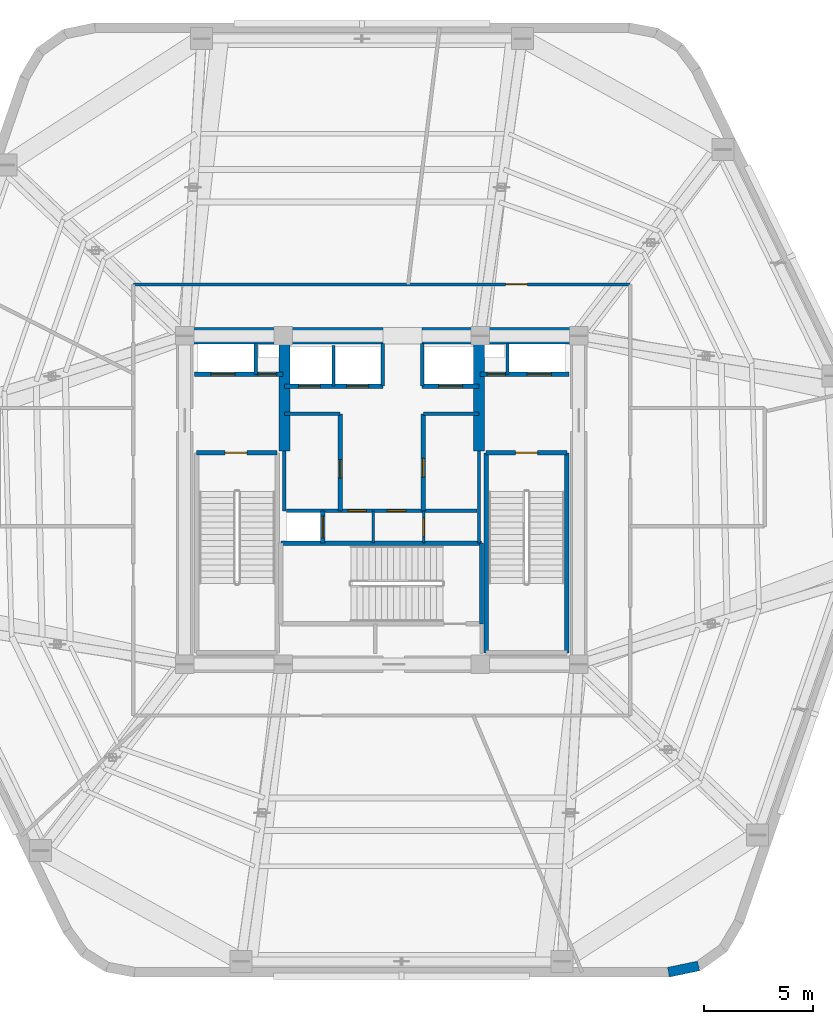
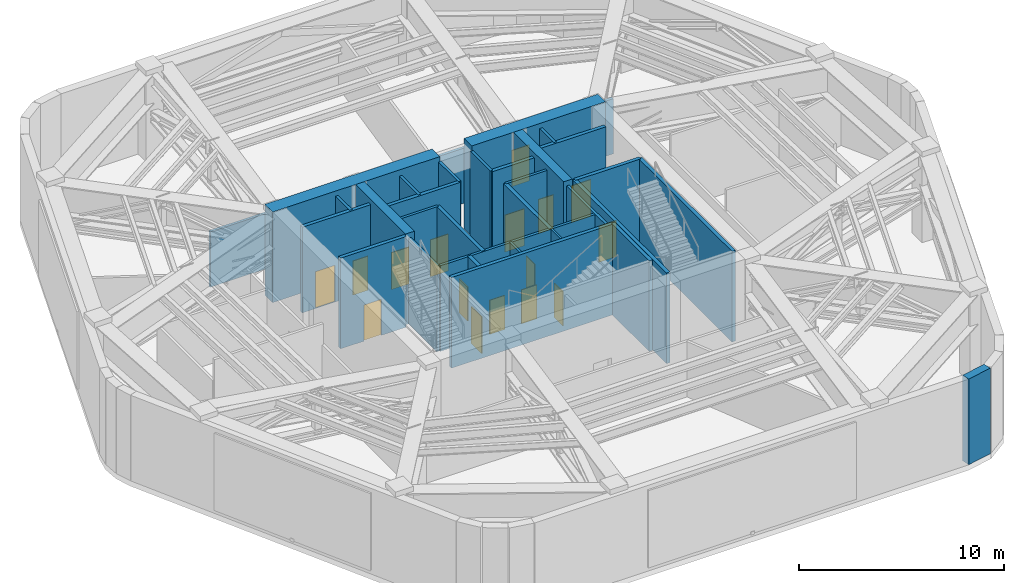
# One storey, part 6 of 10: 31 walls, 16 doors, 16 openings.
"""IFC4 building model written with IfcOpenShell, lengths in metres."""

from ifc_helpers import new_model, si_unit, direction, frame, frame_2d, origin, place, context, subcontext, project, spatial, rectangle, extrude, material, layer, layer_set, type_object, element, fill, save


model = new_model("IFC4")

# Units and contexts
model_context = context("Model", 3, precision=1e-05, world=origin(), true_north=direction((0.0, 1.0)))
body_context = subcontext(model_context, "Body", "Model", "MODEL_VIEW")
ifc_project = project(units=[si_unit("LENGTHUNIT", "METRE"), si_unit("AREAUNIT", "SQUARE_METRE"), si_unit("VOLUMEUNIT", "CUBIC_METRE"), si_unit("PLANEANGLEUNIT", "RADIAN"), si_unit("MASSUNIT", "GRAM", prefix="KILO")], contexts=[model_context])

# Site, building, storey
site_placement = place(None, origin())
site = spatial("IfcSite", under=ifc_project, at=site_placement, CompositionType="ELEMENT")
building_placement = place(site_placement, origin())
building = spatial("IfcBuilding", under=site, at=building_placement, Name="Kilnhurst Terrace Hotel", CompositionType="ELEMENT")
storey_placement = place(building_placement, frame((0.0, 0.0, 255.89990234375)))
storey = spatial("IfcBuildingStorey", under=building, at=storey_placement, Name="L64", CompositionType="ELEMENT", Elevation=255.89990234375)

# Wall
ifc_material_1 = material(Name="Precast concrete C40/50", Category="concrete")
ifc_layer_1 = layer(ifc_material_1, 0.449951171875, Name="Precast concrete C40/50")
ifc_layer_set_1 = layer_set([ifc_layer_1], Name="Precast concrete C40/50")
wall_type_1 = type_object("IfcWallType", Name="WL-BRK-450", PredefinedType="SOLIDWALL", material=ifc_layer_set_1)
wall_1_placement = place(storey_placement, frame((13.1015625, -21.574951171875, 0.0), z_axis=(0.0, 0.0, 1.0), x_axis=(0.978757421505, 0.205021730188, 0.0)))
element("IfcWall", 1, at=wall_1_placement, inside=storey, type_object=wall_type_1, Name="L64 Rounded Corner Brick Wall C2.1", PredefinedType="SOLIDWALL", context=body_context, shape_type="SweptSolid", body=[
    extrude(rectangle(XDim=1.40625, YDim=0.449951171875, at=frame_2d((0.703125, 0.0))), origin(), (0.0, 0.0, 1.0), 5.10009765625),
])

# Wall, opening, door
ifc_material_2 = material(Name="Acoustic Double-Gypsum Corridor Partition Assembly")
ifc_layer_2 = layer(ifc_material_2, 0.14990234375, Name="Acoustic Double-Gypsum Corridor Partition Assembly")
ifc_layer_set_2 = layer_set([ifc_layer_2], Name="Acoustic Double-Gypsum Corridor Partition Assembly")
wall_type_2 = type_object("IfcWallType", Name="WL-COR-150", PredefinedType="PARTITIONING", material=ifc_layer_set_2)
wall_2_placement = place(storey_placement, frame((-11.35009765625, 9.85009765625, 0.0), z_axis=(0.0, 0.0, 1.0), x_axis=(1.0, 0.0, 0.0)))
wall_2 = element("IfcWall", 2, at=wall_2_placement, inside=storey, type_object=wall_type_2, Name="L64 Interior Wall WL-L64-COR-02", PredefinedType="PARTITIONING", context=body_context, shape_type="SweptSolid", body=[
    extrude(rectangle(XDim=22.7001953125, YDim=0.14990234375, at=frame_2d((11.35009765625, 0.0))), origin(), (0.0, 0.0, 1.0), 3.2900390625),
])
opening_1_placement = place(wall_2_placement, frame((17.010009765625, 0.0, 0.0)))
opening_1 = element("IfcOpeningElement", 3, at=opening_1_placement, cuts=wall_2, Name="Opening D-90B", PredefinedType="OPENING", context=body_context, shape_type="SweptSolid", body=[
    extrude(rectangle(XDim=1.0, YDim=2.14990234375, at=frame_2d((0.5, 1.074951171875))), frame((0.0, 0.0849609375, 0.0), z_axis=(0.0, -1.0, 0.0), x_axis=(1.0, 0.0, 0.0)), (0.0, 0.0, 1.0), 0.169921875),
])
ifc_material_3 = material(Name="Painted Hollow Metal Steel ASTM A36 Fire Door", Category="steel")
door_type_1 = type_object("IfcDoorType", Name="DR-FD90-1000", OperationType="NOTDEFINED", PredefinedType="DOOR", material=ifc_material_3)
door_1_placement = place(opening_1_placement, origin())
door_1 = element("IfcDoor", 4, at=door_1_placement, inside=storey, type_object=door_type_1, Name="L64 Chiller and Cooling Heat Exchanger Plant Room Door", OperationType="SINGLE_SWING_LEFT", OverallHeight=2.14990234375, OverallWidth=1.0, PredefinedType="DOOR", context=body_context, shape_type="SweptSolid", body=[
    extrude(rectangle(XDim=1.0, YDim=2.14990234375, at=frame_2d((0.5, 1.074951171875))), frame((0.0, 0.02490234375, 0.0), z_axis=(0.0, -1.0, 0.0), x_axis=(1.0, 0.0, 0.0)), (0.0, 0.0, 1.0), 0.050048828125),
])
fill(opening_1, door_1)

# Walls
ifc_material_4 = material(Name="Concrete C60/75", Category="concrete")
ifc_layer_3 = layer(ifc_material_4, 0.75, Name="Concrete C60/75")
ifc_layer_set_3 = layer_set([ifc_layer_3], Name="Concrete C60/75")
wall_type_3 = type_object("IfcWallType", Name="WL-CORE-750", PredefinedType="SHEAR", material=ifc_layer_set_3)
wall_3_placement = place(storey_placement, frame((-9.375, 7.5, 0.0), z_axis=(0.0, 0.0, 1.0), x_axis=(1.0, 0.0, 0.0)))
element("IfcWall", 5, at=wall_3_placement, inside=storey, type_object=wall_type_3, Name="L64 Core North West Shear Wall", PredefinedType="SHEAR", context=body_context, shape_type="SweptSolid", body=[
    extrude(rectangle(XDim=9.425048828125, YDim=0.75, at=frame_2d((4.71240234375, 0.0))), origin(), (0.0, 0.0, 1.0), 5.400146484375),
])
wall_4_placement = place(storey_placement, frame((1.85009765625, 7.5, 0.0), z_axis=(0.0, 0.0, 1.0), x_axis=(1.0, 0.0, 0.0)))
element("IfcWall", 6, at=wall_4_placement, inside=storey, type_object=wall_type_3, Name="L64 Core North East Shear Wall", PredefinedType="SHEAR", context=body_context, shape_type="SweptSolid", body=[
    extrude(rectangle(XDim=7.52490234375, YDim=0.75, at=frame_2d((3.762451171875, 0.0))), origin(), (0.0, 0.0, 1.0), 5.400146484375),
])
ifc_layer_4 = layer(ifc_material_4, 0.5, Name="Concrete C60/75")
ifc_layer_set_4 = layer_set([ifc_layer_4], Name="Concrete C60/75")
wall_type_4 = type_object("IfcWallType", Name="WL-CORE-WEB-500", PredefinedType="SHEAR", material=ifc_layer_set_4)
for number, where, z_axis, x_axis, name in (
    (7, (-4.449951171875, 2.25, 0.0), (0.0, 0.0, 1.0), (0.0, 1.0, 0.0), "L64 Core Internal West Shear Web"),
    (8, (4.449951171875, 2.25, 0.0), (0.0, 0.0, 1.0), (0.0, 1.0, 0.0), "L64 Core Internal East Shear Web"),
):
    element("IfcWall", number, at=place(storey_placement, frame(where, z_axis=z_axis, x_axis=x_axis)), inside=storey, type_object=wall_type_4, Name=name, PredefinedType="SHEAR", context=body_context, shape_type="SweptSolid", body=[
        extrude(rectangle(XDim=4.875, YDim=0.5, at=frame_2d((2.4375, 0.0))), origin(), (0.0, 0.0, 1.0), 5.400146484375),
    ])
ifc_material_5 = material(Name="120 mm Moisture-Resistant Tile-Backed Bathroom Partition")
ifc_layer_5 = layer(ifc_material_5, 0.1201171875, Name="120 mm Moisture-Resistant Tile-Backed Bathroom Partition")
ifc_layer_set_5 = layer_set([ifc_layer_5], Name="120 mm Moisture-Resistant Tile-Backed Bathroom Partition")
wall_type_5 = type_object("IfcWallType", Name="WL-PART-120", PredefinedType="PARTITIONING", material=ifc_layer_set_5)
wall_5_placement = place(storey_placement, frame((-0.3798828125, -1.971923828125, 0.0), z_axis=(0.0, 0.0, 1.0), x_axis=(0.0, 1.0, 0.0)))
element("IfcWall", 9, at=wall_5_placement, inside=storey, type_object=wall_type_5, Name="L64 Interior Wall WL-L64-BOH-C1", PredefinedType="PARTITIONING", context=body_context, shape_type="SweptSolid", body=[
    extrude(rectangle(XDim=1.471923828125, YDim=0.1201171875, at=frame_2d((0.73583984375, 0.0))), origin(), (0.0, 0.0, 1.0), 5.10009765625),
])

# Wall, opening, door
wall_6_placement = place(storey_placement, frame((1.919921875, -1.971923828125, 0.0), z_axis=(0.0, 0.0, 1.0), x_axis=(0.0, 1.0, 0.0)))
wall_6 = element("IfcWall", 10, at=wall_6_placement, inside=storey, type_object=wall_type_5, Name="L64 Interior Wall WL-L64-BOH-C2", PredefinedType="PARTITIONING", context=body_context, shape_type="SweptSolid", body=[
    extrude(rectangle(XDim=1.471923828125, YDim=0.1201171875, at=frame_2d((0.73583984375, 0.0))), origin(), (0.0, 0.0, 1.0), 5.10009765625),
])
opening_2_placement = place(wall_6_placement, frame((0.300048828125, 0.0, 0.0)))
opening_2 = element("IfcOpeningElement", 11, at=opening_2_placement, cuts=wall_6, Name="Opening D-08A", PredefinedType="OPENING", context=body_context, shape_type="SweptSolid", body=[
    extrude(rectangle(XDim=0.85009765625, YDim=2.030029296875, at=frame_2d((0.425048828125, 1.01513671875))), frame((0.0, 0.070068359375, 0.0), z_axis=(0.0, -1.0, 0.0), x_axis=(1.0, 0.0, 0.0)), (0.0, 0.0, 1.0), 0.14013671875),
])
ifc_material_6 = material(Name="Moisture-Resistant Lacquered En-suite Bathroom Door")
door_type_2 = type_object("IfcDoorType", Name="DR-INT-850", OperationType="NOTDEFINED", PredefinedType="DOOR", material=ifc_material_6)
door_2_placement = place(opening_2_placement, origin())
door_2 = element("IfcDoor", 12, at=door_2_placement, inside=storey, type_object=door_type_2, Name="L64 Staff Restroom Door", OperationType="SINGLE_SWING_RIGHT", OverallHeight=2.030029296875, OverallWidth=0.85009765625, PredefinedType="DOOR", context=body_context, shape_type="SweptSolid", body=[
    extrude(rectangle(XDim=0.85009765625, YDim=2.030029296875, at=frame_2d((0.425048828125, 1.01513671875))), frame((0.0, 0.02490234375, 0.0), z_axis=(0.0, -1.0, 0.0), x_axis=(1.0, 0.0, 0.0)), (0.0, 0.0, 1.0), 0.050048828125),
])
fill(opening_2, door_2)

# Walls
ifc_material_7 = material(Name="Fire-Rated Gypsum Shaftliner Assembly")
ifc_layer_6 = layer(ifc_material_7, 0.14990234375, Name="Fire-Rated Gypsum Shaftliner Assembly")
ifc_layer_set_6 = layer_set([ifc_layer_6], Name="Fire-Rated Gypsum Shaftliner Assembly")
wall_type_6 = type_object("IfcWallType", Name="WL-SHAFT-150", PredefinedType="PARTITIONING", material=ifc_layer_set_6)
for number, where, z_axis, x_axis, name in (
    (13, (-5.75, 5.739990234375, 0.0), (0.0, 0.0, 1.0), (0.0, 1.0, 0.0), "L64 Interior Wall WL-L64-RIS1-DIV"),
    (14, (5.75, 5.739990234375, 0.0), (0.0, 0.0, 1.0), (0.0, 1.0, 0.0), "L64 Interior Wall WL-L64-RIS2-DIV"),
):
    element("IfcWall", number, at=place(storey_placement, frame(where, z_axis=z_axis, x_axis=x_axis)), inside=storey, type_object=wall_type_6, Name=name, PredefinedType="PARTITIONING", context=body_context, shape_type="SweptSolid", body=[
        extrude(rectangle(XDim=1.409912109375, YDim=0.14990234375, at=frame_2d((0.705078125, 0.0))), origin(), (0.0, 0.0, 1.0), 5.10009765625),
    ])
wall_7_placement = place(storey_placement, frame((-2.199951171875, 5.199951171875, 0.0), z_axis=(0.0, 0.0, 1.0), x_axis=(0.0, 1.0, 0.0)))
element("IfcWall", 15, at=wall_7_placement, inside=storey, type_object=wall_type_6, Name="L64 Interior Wall WL-L64-HR-DIV1", PredefinedType="PARTITIONING", context=body_context, shape_type="SweptSolid", body=[
    extrude(rectangle(XDim=1.85009765625, YDim=0.14990234375, at=frame_2d((0.925048828125, 0.0))), origin(), (0.0, 0.0, 1.0), 5.10009765625),
])
for number, where, z_axis, x_axis, name in (
    (16, (0.050048828125, 5.199951171875, 0.0), (0.0, 0.0, 1.0), (0.0, 1.0, 0.0), "L64 Interior Wall WL-L64-HR-PORTAL-W"),
    (17, (1.85009765625, 5.199951171875, 0.0), (0.0, 0.0, 1.0), (0.0, 1.0, 0.0), "L64 Interior Wall WL-L64-HR-PORTAL-E"),
):
    element("IfcWall", number, at=place(storey_placement, frame(where, z_axis=z_axis, x_axis=x_axis)), inside=storey, type_object=wall_type_6, Name=name, PredefinedType="PARTITIONING", context=body_context, shape_type="SweptSolid", body=[
        extrude(rectangle(XDim=1.949951171875, YDim=0.14990234375, at=frame_2d((0.97509765625, 0.0))), origin(), (0.0, 0.0, 1.0), 5.10009765625),
    ])
wall_8_placement = place(storey_placement, frame((-4.449951171875, -0.5, 0.0), z_axis=(0.0, 0.0, 1.0), x_axis=(0.0, 1.0, 0.0)))
element("IfcWall", 18, at=wall_8_placement, inside=storey, type_object=wall_type_6, Name="L64 Interior Wall WL-L64-XLOB-W", PredefinedType="PARTITIONING", context=body_context, shape_type="SweptSolid", body=[
    extrude(rectangle(XDim=2.75, YDim=0.14990234375, at=frame_2d((1.375, 0.0))), origin(), (0.0, 0.0, 1.0), 5.10009765625),
])
wall_9_placement = place(storey_placement, frame((4.449951171875, -1.971923828125, 0.0), z_axis=(0.0, 0.0, 1.0), x_axis=(0.0, 1.0, 0.0)))
element("IfcWall", 19, at=wall_9_placement, inside=storey, type_object=wall_type_6, Name="L64 Interior Wall WL-L64-XLOB-E", PredefinedType="PARTITIONING", context=body_context, shape_type="SweptSolid", body=[
    extrude(rectangle(XDim=4.221923828125, YDim=0.14990234375, at=frame_2d((2.11083984375, 0.0))), origin(), (0.0, 0.0, 1.0), 5.10009765625),
])
for number, where, z_axis, x_axis, name in (
    (20, (-4.449951171875, 3.93994140625, 0.0), (0.0, 0.0, 1.0), (1.0, 0.0, 0.0), "L64 Interior Wall WL-L64-LR-NORTH"),
    (21, (1.89990234375, 3.93994140625, 0.0), (0.0, 0.0, 1.0), (1.0, 0.0, 0.0), "L64 Interior Wall WL-L64-MR-NORTH"),
):
    element("IfcWall", number, at=place(storey_placement, frame(where, z_axis=z_axis, x_axis=x_axis)), inside=storey, type_object=wall_type_6, Name=name, PredefinedType="PARTITIONING", context=body_context, shape_type="SweptSolid", body=[
        extrude(rectangle(XDim=2.550048828125, YDim=0.14990234375, at=frame_2d((1.27490234375, 0.0))), origin(), (0.0, 0.0, 1.0), 5.10009765625),
    ])

# Wall, openings, doors
wall_10_placement = place(storey_placement, frame((-4.360107421875, -0.489990234375, 0.0), z_axis=(0.0, 0.0, 1.0), x_axis=(1.0, 0.0, 0.0)))
wall_10 = element("IfcWall", 22, at=wall_10_placement, inside=storey, type_object=wall_type_6, Name="L64 Interior Wall WL-L64-BOH-N", PredefinedType="PARTITIONING", context=body_context, shape_type="SweptSolid", body=[
    extrude(rectangle(XDim=8.72021484375, YDim=0.14990234375, at=frame_2d((4.360107421875, 0.0))), origin(), (0.0, 0.0, 1.0), 5.10009765625),
])
opening_3_placement = place(wall_10_placement, frame((2.81005859375, 0.0, 0.0)))
opening_3 = element("IfcOpeningElement", 23, at=opening_3_placement, cuts=wall_10, Name="Opening D-60D", PredefinedType="OPENING", context=body_context, shape_type="SweptSolid", body=[
    extrude(rectangle(XDim=0.85009765625, YDim=2.030029296875, at=frame_2d((0.425048828125, 1.01513671875))), frame((0.0, 0.0849609375, 0.0), z_axis=(0.0, -1.0, 0.0), x_axis=(1.0, 0.0, 0.0)), (0.0, 0.0, 1.0), 0.169921875),
])
opening_4_placement = place(wall_10_placement, frame((4.610107421875, 0.0, 0.0)))
opening_4 = element("IfcOpeningElement", 24, at=opening_4_placement, cuts=wall_10, Name="Opening D-60D", PredefinedType="OPENING", context=body_context, shape_type="SweptSolid", body=[
    extrude(rectangle(XDim=0.85009765625, YDim=2.030029296875, at=frame_2d((0.425048828125, 1.01513671875))), frame((0.0, 0.0849609375, 0.0), z_axis=(0.0, -1.0, 0.0), x_axis=(1.0, 0.0, 0.0)), (0.0, 0.0, 1.0), 0.169921875),
])
ifc_material_8 = material(Name="Painted Hollow Metal Steel ASTM A36 Riser Door", Category="steel")
door_type_3 = type_object("IfcDoorType", Name="DR-FD60-850", OperationType="NOTDEFINED", PredefinedType="DOOR", material=ifc_material_8)
door_3_placement = place(opening_3_placement, origin())
door_3 = element("IfcDoor", 25, at=door_3_placement, inside=storey, type_object=door_type_3, Name="L64 Housekeeping Station Door", OperationType="SINGLE_SWING_LEFT", OverallHeight=2.030029296875, OverallWidth=0.85009765625, PredefinedType="DOOR", context=body_context, shape_type="SweptSolid", body=[
    extrude(rectangle(XDim=0.85009765625, YDim=2.030029296875, at=frame_2d((0.425048828125, 1.01513671875))), frame((0.0, 0.02490234375, 0.0), z_axis=(0.0, -1.0, 0.0), x_axis=(1.0, 0.0, 0.0)), (0.0, 0.0, 1.0), 0.050048828125),
])
fill(opening_3, door_3)
door_4_placement = place(opening_4_placement, origin())
door_4 = element("IfcDoor", 26, at=door_4_placement, inside=storey, type_object=door_type_3, Name="L64 Beverage Pantry Door", OperationType="SINGLE_SWING_RIGHT", OverallHeight=2.030029296875, OverallWidth=0.85009765625, PredefinedType="DOOR", context=body_context, shape_type="SweptSolid", body=[
    extrude(rectangle(XDim=0.85009765625, YDim=2.030029296875, at=frame_2d((0.425048828125, 1.01513671875))), frame((0.0, 0.02490234375, 0.0), z_axis=(0.0, -1.0, 0.0), x_axis=(1.0, 0.0, 0.0)), (0.0, 0.0, 1.0), 0.050048828125),
])
fill(opening_4, door_4)

ifc_material_9 = material(Name="Autoclaved Aerated Concrete C30/37 and Gypsum Shaft Assembly", Category="concrete")
ifc_layer_7 = layer(ifc_material_9, 0.199951171875, Name="Autoclaved Aerated Concrete C30/37 and Gypsum Shaft Assembly")
ifc_layer_set_7 = layer_set([ifc_layer_7], Name="Autoclaved Aerated Concrete C30/37 and Gypsum Shaft Assembly")
wall_type_7 = type_object("IfcWallType", Name="WL-SHAFT-200", PredefinedType="PARTITIONING", material=ifc_layer_set_7)
wall_11_placement = place(storey_placement, frame((-8.550048828125, 5.739990234375, 0.0), z_axis=(0.0, 0.0, 1.0), x_axis=(1.0, 0.0, 0.0)))
wall_11 = element("IfcWall", 27, at=wall_11_placement, inside=storey, type_object=wall_type_7, Name="L64 Interior Wall WL-L64-FSAE1-S", PredefinedType="PARTITIONING", context=body_context, shape_type="SweptSolid", body=[
    extrude(rectangle(XDim=4.050048828125, YDim=0.199951171875, at=frame_2d((2.02490234375, 0.0))), origin(), (0.0, 0.0, 1.0), 5.10009765625),
])
opening_5_placement = place(wall_11_placement, frame((0.75, 0.0, 0.0)))
opening_5 = element("IfcOpeningElement", 28, at=opening_5_placement, cuts=wall_11, Name="Opening LD-F1", PredefinedType="OPENING", context=body_context, shape_type="SweptSolid", body=[
    extrude(rectangle(XDim=1.10009765625, YDim=2.199951171875, at=frame_2d((0.550048828125, 1.10009765625))), frame((0.0, 0.10986328125, 0.0), z_axis=(0.0, -1.0, 0.0), x_axis=(1.0, 0.0, 0.0)), (0.0, 0.0, 1.0), 0.219970703125),
])
opening_6_placement = place(wall_11_placement, frame((2.89990234375, 0.0, 0.0)))
opening_6 = element("IfcOpeningElement", 29, at=opening_6_placement, cuts=wall_11, Name="Opening D-60D", PredefinedType="OPENING", context=body_context, shape_type="SweptSolid", body=[
    extrude(rectangle(XDim=0.85009765625, YDim=2.030029296875, at=frame_2d((0.425048828125, 1.01513671875))), frame((0.0, 0.10986328125, 0.0), z_axis=(0.0, -1.0, 0.0), x_axis=(1.0, 0.0, 0.0)), (0.0, 0.0, 1.0), 0.219970703125),
])
door_5_placement = place(opening_6_placement, origin())
door_5 = element("IfcDoor", 30, at=door_5_placement, inside=storey, type_object=door_type_3, Name="L64 Electrical Riser Door", OperationType="SINGLE_SWING_LEFT", OverallHeight=2.030029296875, OverallWidth=0.85009765625, PredefinedType="DOOR", context=body_context, shape_type="SweptSolid", body=[
    extrude(rectangle(XDim=0.85009765625, YDim=2.030029296875, at=frame_2d((0.425048828125, 1.01513671875))), frame((0.0, 0.02490234375, 0.0), z_axis=(0.0, -1.0, 0.0), x_axis=(1.0, 0.0, 0.0)), (0.0, 0.0, 1.0), 0.050048828125),
])
fill(opening_6, door_5)
ifc_material_10 = material(Name="Bronze-Anodized Stainless Steel AISI 316L Sliding Door", Category="steel")
door_type_4 = type_object("IfcDoorType", Name="DR-LIFT-1100", OperationType="NOTDEFINED", PredefinedType="DOOR", material=ifc_material_10)
door_6_placement = place(opening_5_placement, origin())
door_6 = element("IfcDoor", 31, at=door_6_placement, inside=storey, type_object=door_type_4, Name="L64 FSAE-1 Landing Door", OperationType="SLIDING_TO_LEFT", OverallHeight=2.199951171875, OverallWidth=1.10009765625, PredefinedType="DOOR", context=body_context, shape_type="SweptSolid", body=[
    extrude(rectangle(XDim=1.10009765625, YDim=2.199951171875, at=frame_2d((0.550048828125, 1.10009765625))), frame((0.0, 0.02490234375, 0.0), z_axis=(0.0, -1.0, 0.0), x_axis=(1.0, 0.0, 0.0)), (0.0, 0.0, 1.0), 0.050048828125),
])
fill(opening_5, door_6)

wall_12_placement = place(storey_placement, frame((4.5, 5.739990234375, 0.0), z_axis=(0.0, 0.0, 1.0), x_axis=(1.0, 0.0, 0.0)))
wall_12 = element("IfcWall", 32, at=wall_12_placement, inside=storey, type_object=wall_type_7, Name="L64 Interior Wall WL-L64-FSAE2-S", PredefinedType="PARTITIONING", context=body_context, shape_type="SweptSolid", body=[
    extrude(rectangle(XDim=4.050048828125, YDim=0.199951171875, at=frame_2d((2.02490234375, 0.0))), origin(), (0.0, 0.0, 1.0), 5.10009765625),
])
opening_7_placement = place(wall_12_placement, frame((0.300048828125, 0.0, 0.0)))
opening_7 = element("IfcOpeningElement", 33, at=opening_7_placement, cuts=wall_12, Name="Opening D-60D", PredefinedType="OPENING", context=body_context, shape_type="SweptSolid", body=[
    extrude(rectangle(XDim=0.85009765625, YDim=2.030029296875, at=frame_2d((0.425048828125, 1.01513671875))), frame((0.0, 0.10986328125, 0.0), z_axis=(0.0, -1.0, 0.0), x_axis=(1.0, 0.0, 0.0)), (0.0, 0.0, 1.0), 0.219970703125),
])
opening_8_placement = place(wall_12_placement, frame((2.14990234375, 0.0, 0.0)))
opening_8 = element("IfcOpeningElement", 34, at=opening_8_placement, cuts=wall_12, Name="Opening LD-F2", PredefinedType="OPENING", context=body_context, shape_type="SweptSolid", body=[
    extrude(rectangle(XDim=1.10009765625, YDim=2.199951171875, at=frame_2d((0.550048828125, 1.10009765625))), frame((0.0, 0.10986328125, 0.0), z_axis=(0.0, -1.0, 0.0), x_axis=(1.0, 0.0, 0.0)), (0.0, 0.0, 1.0), 0.219970703125),
])
door_7_placement = place(opening_7_placement, origin())
door_7 = element("IfcDoor", 35, at=door_7_placement, inside=storey, type_object=door_type_3, Name="L64 Telecom Riser Door", OperationType="SINGLE_SWING_RIGHT", OverallHeight=2.030029296875, OverallWidth=0.85009765625, PredefinedType="DOOR", context=body_context, shape_type="SweptSolid", body=[
    extrude(rectangle(XDim=0.85009765625, YDim=2.030029296875, at=frame_2d((0.425048828125, 1.01513671875))), frame((0.0, 0.02490234375, 0.0), z_axis=(0.0, -1.0, 0.0), x_axis=(1.0, 0.0, 0.0)), (0.0, 0.0, 1.0), 0.050048828125),
])
fill(opening_7, door_7)
door_8_placement = place(opening_8_placement, origin())
door_8 = element("IfcDoor", 36, at=door_8_placement, inside=storey, type_object=door_type_4, Name="L64 FSAE-2 Landing Door", OperationType="SLIDING_TO_RIGHT", OverallHeight=2.199951171875, OverallWidth=1.10009765625, PredefinedType="DOOR", context=body_context, shape_type="SweptSolid", body=[
    extrude(rectangle(XDim=1.10009765625, YDim=2.199951171875, at=frame_2d((0.550048828125, 1.10009765625))), frame((0.0, 0.02490234375, 0.0), z_axis=(0.0, -1.0, 0.0), x_axis=(1.0, 0.0, 0.0)), (0.0, 0.0, 1.0), 0.050048828125),
])
fill(opening_8, door_8)

# Wall, opening, door
wall_13_placement = place(storey_placement, frame((-2.699951171875, -1.971923828125, 0.0), z_axis=(0.0, 0.0, 1.0), x_axis=(0.0, 1.0, 0.0)))
wall_13 = element("IfcWall", 37, at=wall_13_placement, inside=storey, type_object=wall_type_7, Name="L64 Interior Wall WL-L64-SRV1-E", PredefinedType="PARTITIONING", context=body_context, shape_type="SweptSolid", body=[
    extrude(rectangle(XDim=1.471923828125, YDim=0.199951171875, at=frame_2d((0.73583984375, 0.0))), origin(), (0.0, 0.0, 1.0), 5.10009765625),
])
opening_9_placement = place(wall_13_placement, frame((0.239990234375, 0.0, 0.0)))
opening_9 = element("IfcOpeningElement", 38, at=opening_9_placement, cuts=wall_13, Name="Opening LD-SV", PredefinedType="OPENING", context=body_context, shape_type="SweptSolid", body=[
    extrude(rectangle(XDim=1.0, YDim=2.199951171875, at=frame_2d((0.5, 1.10009765625))), frame((0.0, 0.10986328125, 0.0), z_axis=(0.0, -1.0, 0.0), x_axis=(1.0, 0.0, 0.0)), (0.0, 0.0, 1.0), 0.219970703125),
])
door_type_5 = type_object("IfcDoorType", Name="DR-LIFT-1000", OperationType="NOTDEFINED", PredefinedType="DOOR", material=ifc_material_10)
door_9_placement = place(opening_9_placement, origin())
door_9 = element("IfcDoor", 39, at=door_9_placement, inside=storey, type_object=door_type_5, Name="L64 Service Lift SRV-1 Landing Door", OperationType="SLIDING_TO_LEFT", OverallHeight=2.199951171875, OverallWidth=1.0, PredefinedType="DOOR", context=body_context, shape_type="SweptSolid", body=[
    extrude(rectangle(XDim=1.0, YDim=2.199951171875, at=frame_2d((0.5, 1.10009765625))), frame((0.0, 0.02490234375, 0.0), z_axis=(0.0, -1.0, 0.0), x_axis=(1.0, 0.0, 0.0)), (0.0, 0.0, 1.0), 0.050048828125),
])
fill(opening_9, door_9)

# Wall, openings, doors
wall_14_placement = place(storey_placement, frame((-4.449951171875, 5.199951171875, 0.0), z_axis=(0.0, 0.0, 1.0), x_axis=(1.0, 0.0, 0.0)))
wall_14 = element("IfcWall", 40, at=wall_14_placement, inside=storey, type_object=wall_type_7, Name="L64 Interior Wall WL-L64-HR-SW", PredefinedType="PARTITIONING", context=body_context, shape_type="SweptSolid", body=[
    extrude(rectangle(XDim=4.5, YDim=0.199951171875, at=frame_2d((2.25, 0.0))), origin(), (0.0, 0.0, 1.0), 5.10009765625),
])
opening_10_placement = place(wall_14_placement, frame((0.64990234375, 0.0, 0.0)))
opening_10 = element("IfcOpeningElement", 41, at=opening_10_placement, cuts=wall_14, Name="Opening LD-HR", PredefinedType="OPENING", context=body_context, shape_type="SweptSolid", body=[
    extrude(rectangle(XDim=1.0, YDim=2.199951171875, at=frame_2d((0.5, 1.10009765625))), frame((0.0, 0.10986328125, 0.0), z_axis=(0.0, -1.0, 0.0), x_axis=(1.0, 0.0, 0.0)), (0.0, 0.0, 1.0), 0.219970703125),
])
opening_11_placement = place(wall_14_placement, frame((2.85009765625, 0.0, 0.0)))
opening_11 = element("IfcOpeningElement", 42, at=opening_11_placement, cuts=wall_14, Name="Opening LD-HS", PredefinedType="OPENING", context=body_context, shape_type="SweptSolid", body=[
    extrude(rectangle(XDim=1.0, YDim=2.199951171875, at=frame_2d((0.5, 1.10009765625))), frame((0.0, 0.10986328125, 0.0), z_axis=(0.0, -1.0, 0.0), x_axis=(1.0, 0.0, 0.0)), (0.0, 0.0, 1.0), 0.219970703125),
])
door_10_placement = place(opening_10_placement, origin())
door_10 = element("IfcDoor", 43, at=door_10_placement, inside=storey, type_object=door_type_5, Name="L64 High Rise Lift HR-1 Landing Door", OperationType="SLIDING_TO_LEFT", OverallHeight=2.199951171875, OverallWidth=1.0, PredefinedType="DOOR", context=body_context, shape_type="SweptSolid", body=[
    extrude(rectangle(XDim=1.0, YDim=2.199951171875, at=frame_2d((0.5, 1.10009765625))), frame((0.0, 0.02490234375, 0.0), z_axis=(0.0, -1.0, 0.0), x_axis=(1.0, 0.0, 0.0)), (0.0, 0.0, 1.0), 0.050048828125),
])
fill(opening_10, door_10)
door_11_placement = place(opening_11_placement, origin())
door_11 = element("IfcDoor", 44, at=door_11_placement, inside=storey, type_object=door_type_5, Name="L64 High Rise Lift HR-3 Landing Door", OperationType="SLIDING_TO_RIGHT", OverallHeight=2.199951171875, OverallWidth=1.0, PredefinedType="DOOR", context=body_context, shape_type="SweptSolid", body=[
    extrude(rectangle(XDim=1.0, YDim=2.199951171875, at=frame_2d((0.5, 1.10009765625))), frame((0.0, 0.02490234375, 0.0), z_axis=(0.0, -1.0, 0.0), x_axis=(1.0, 0.0, 0.0)), (0.0, 0.0, 1.0), 0.050048828125),
])
fill(opening_11, door_11)

# Wall, opening, door
wall_15_placement = place(storey_placement, frame((1.85009765625, 5.199951171875, 0.0), z_axis=(0.0, 0.0, 1.0), x_axis=(1.0, 0.0, 0.0)))
wall_15 = element("IfcWall", 45, at=wall_15_placement, inside=storey, type_object=wall_type_7, Name="L64 Interior Wall WL-L64-HR-SE", PredefinedType="PARTITIONING", context=body_context, shape_type="SweptSolid", body=[
    extrude(rectangle(XDim=2.599853515625, YDim=0.199951171875, at=frame_2d((1.2998046875, 0.0))), origin(), (0.0, 0.0, 1.0), 5.10009765625),
])
opening_12_placement = place(wall_15_placement, frame((0.75, 0.0, 0.0)))
opening_12 = element("IfcOpeningElement", 46, at=opening_12_placement, cuts=wall_15, Name="Opening LD-H2", PredefinedType="OPENING", context=body_context, shape_type="SweptSolid", body=[
    extrude(rectangle(XDim=1.10009765625, YDim=2.199951171875, at=frame_2d((0.550048828125, 1.10009765625))), frame((0.0, 0.10986328125, 0.0), z_axis=(0.0, -1.0, 0.0), x_axis=(1.0, 0.0, 0.0)), (0.0, 0.0, 1.0), 0.219970703125),
])
door_12_placement = place(opening_12_placement, origin())
door_12 = element("IfcDoor", 47, at=door_12_placement, inside=storey, type_object=door_type_4, Name="L64 High Rise Lift HR-2 Landing Door", OperationType="SLIDING_TO_RIGHT", OverallHeight=2.199951171875, OverallWidth=1.10009765625, PredefinedType="DOOR", context=body_context, shape_type="SweptSolid", body=[
    extrude(rectangle(XDim=1.10009765625, YDim=2.199951171875, at=frame_2d((0.550048828125, 1.10009765625))), frame((0.0, 0.02490234375, 0.0), z_axis=(0.0, -1.0, 0.0), x_axis=(1.0, 0.0, 0.0)), (0.0, 0.0, 1.0), 0.050048828125),
])
fill(opening_12, door_12)

wall_16_placement = place(storey_placement, frame((-1.89990234375, -0.5, 0.0), z_axis=(0.0, 0.0, 1.0), x_axis=(0.0, 1.0, 0.0)))
wall_16 = element("IfcWall", 48, at=wall_16_placement, inside=storey, type_object=wall_type_7, Name="L64 Interior Wall WL-L64-LR-FRONT", PredefinedType="PARTITIONING", context=body_context, shape_type="SweptSolid", body=[
    extrude(rectangle(XDim=4.43994140625, YDim=0.199951171875, at=frame_2d((2.219970703125, 0.0))), origin(), (0.0, 0.0, 1.0), 5.10009765625),
])
opening_13_placement = place(wall_16_placement, frame((1.5, 0.0, 0.0)))
opening_13 = element("IfcOpeningElement", 49, at=opening_13_placement, cuts=wall_16, Name="Opening D-60D", PredefinedType="OPENING", context=body_context, shape_type="SweptSolid", body=[
    extrude(rectangle(XDim=0.85009765625, YDim=2.030029296875, at=frame_2d((0.425048828125, 1.01513671875))), frame((0.0, 0.10986328125, 0.0), z_axis=(0.0, -1.0, 0.0), x_axis=(1.0, 0.0, 0.0)), (0.0, 0.0, 1.0), 0.219970703125),
])
door_13_placement = place(opening_13_placement, origin())
door_13 = element("IfcDoor", 50, at=door_13_placement, inside=storey, type_object=door_type_3, Name="L64 Reclaimed Linen Room Door", OperationType="SINGLE_SWING_LEFT", OverallHeight=2.030029296875, OverallWidth=0.85009765625, PredefinedType="DOOR", context=body_context, shape_type="SweptSolid", body=[
    extrude(rectangle(XDim=0.85009765625, YDim=2.030029296875, at=frame_2d((0.425048828125, 1.01513671875))), frame((0.0, 0.02490234375, 0.0), z_axis=(0.0, -1.0, 0.0), x_axis=(1.0, 0.0, 0.0)), (0.0, 0.0, 1.0), 0.050048828125),
])
fill(opening_13, door_13)

wall_17_placement = place(storey_placement, frame((1.89990234375, -0.5, 0.0), z_axis=(0.0, 0.0, 1.0), x_axis=(0.0, 1.0, 0.0)))
wall_17 = element("IfcWall", 51, at=wall_17_placement, inside=storey, type_object=wall_type_7, Name="L64 Interior Wall WL-L64-MR-FRONT", PredefinedType="PARTITIONING", context=body_context, shape_type="SweptSolid", body=[
    extrude(rectangle(XDim=4.43994140625, YDim=0.199951171875, at=frame_2d((2.219970703125, 0.0))), origin(), (0.0, 0.0, 1.0), 5.10009765625),
])
opening_14_placement = place(wall_17_placement, frame((1.550048828125, 0.0, 0.0)))
opening_14 = element("IfcOpeningElement", 52, at=opening_14_placement, cuts=wall_17, Name="Opening D-60D", PredefinedType="OPENING", context=body_context, shape_type="SweptSolid", body=[
    extrude(rectangle(XDim=0.85009765625, YDim=2.030029296875, at=frame_2d((0.425048828125, 1.01513671875))), frame((0.0, 0.10986328125, 0.0), z_axis=(0.0, -1.0, 0.0), x_axis=(1.0, 0.0, 0.0)), (0.0, 0.0, 1.0), 0.219970703125),
])
door_14_placement = place(opening_14_placement, origin())
door_14 = element("IfcDoor", 53, at=door_14_placement, inside=storey, type_object=door_type_3, Name="L64 Staff Accessible Restroom Door", OperationType="SINGLE_SWING_RIGHT", OverallHeight=2.030029296875, OverallWidth=0.85009765625, PredefinedType="DOOR", context=body_context, shape_type="SweptSolid", body=[
    extrude(rectangle(XDim=0.85009765625, YDim=2.030029296875, at=frame_2d((0.425048828125, 1.01513671875))), frame((0.0, 0.02490234375, 0.0), z_axis=(0.0, -1.0, 0.0), x_axis=(1.0, 0.0, 0.0)), (0.0, 0.0, 1.0), 0.050048828125),
])
fill(opening_14, door_14)

ifc_material_11 = material(Name="Concrete C50/60", Category="concrete")
ifc_layer_8 = layer(ifc_material_11, 0.199951171875, Name="Concrete C50/60")
ifc_layer_set_8 = layer_set([ifc_layer_8], Name="Concrete C50/60")
wall_type_8 = type_object("IfcWallType", Name="WL-STAIR-RC-200", PredefinedType="SHEAR", material=ifc_layer_set_8)
wall_18_placement = place(storey_placement, frame((-8.4580078125, 2.157958984375, 0.0), z_axis=(0.0, 0.0, 1.0), x_axis=(1.0, 0.0, 0.0)))
wall_18 = element("IfcWall", 54, at=wall_18_placement, inside=storey, type_object=wall_type_8, Name="L64 Structural Stair Shaft Wall WL-L64-ST1-N", PredefinedType="SHEAR", context=body_context, shape_type="SweptSolid", body=[
    extrude(rectangle(XDim=3.68603515625, YDim=0.199951171875, at=frame_2d((1.843017578125, 0.0))), origin(), (0.0, 0.0, 1.0), 5.400146484375),
])
opening_15_placement = place(wall_18_placement, frame((1.300048828125, 0.0, 0.0)))
opening_15 = element("IfcOpeningElement", 55, at=opening_15_placement, cuts=wall_18, Name="Opening D-90B", PredefinedType="OPENING", context=body_context, shape_type="SweptSolid", body=[
    extrude(rectangle(XDim=1.0, YDim=2.14990234375, at=frame_2d((0.5, 1.074951171875))), frame((0.0, 0.10986328125, 0.0), z_axis=(0.0, -1.0, 0.0), x_axis=(1.0, 0.0, 0.0)), (0.0, 0.0, 1.0), 0.219970703125),
])
door_15_placement = place(opening_15_placement, origin())
door_15 = element("IfcDoor", 56, at=door_15_placement, inside=storey, type_object=door_type_1, Name="L64 Stair ST-1 Door", OperationType="SINGLE_SWING_LEFT", OverallHeight=2.14990234375, OverallWidth=1.0, PredefinedType="DOOR", context=body_context, shape_type="SweptSolid", body=[
    extrude(rectangle(XDim=1.0, YDim=2.14990234375, at=frame_2d((0.5, 1.074951171875))), frame((0.0, 0.02490234375, 0.0), z_axis=(0.0, -1.0, 0.0), x_axis=(1.0, 0.0, 0.0)), (0.0, 0.0, 1.0), 0.050048828125),
])
fill(opening_15, door_15)

# Walls
for number, where, z_axis, x_axis, name in (
    (57, (4.77197265625, -6.985107421875, 0.0), (0.0, 0.0, 1.0), (0.0, 1.0, 0.0), "L64 Structural Stair Shaft Wall WL-L64-ST2-W"),
    (58, (8.4580078125, -6.985107421875, 0.0), (0.0, 0.0, 1.0), (0.0, 1.0, 0.0), "L64 Structural Stair Shaft Wall WL-L64-ST2-E"),
):
    element("IfcWall", number, at=place(storey_placement, frame(where, z_axis=z_axis, x_axis=x_axis)), inside=storey, type_object=wall_type_8, Name=name, PredefinedType="SHEAR", context=body_context, shape_type="SweptSolid", body=[
        extrude(rectangle(XDim=9.14306640625, YDim=0.199951171875, at=frame_2d((4.571533203125, 0.0))), origin(), (0.0, 0.0, 1.0), 5.400146484375),
    ])

# Wall, opening, door
wall_19_placement = place(storey_placement, frame((4.77197265625, 2.157958984375, 0.0), z_axis=(0.0, 0.0, 1.0), x_axis=(1.0, 0.0, 0.0)))
wall_19 = element("IfcWall", 59, at=wall_19_placement, inside=storey, type_object=wall_type_8, Name="L64 Structural Stair Shaft Wall WL-L64-ST2-N", PredefinedType="SHEAR", context=body_context, shape_type="SweptSolid", body=[
    extrude(rectangle(XDim=3.68603515625, YDim=0.199951171875, at=frame_2d((1.843017578125, 0.0))), origin(), (0.0, 0.0, 1.0), 5.400146484375),
])
opening_16_placement = place(wall_19_placement, frame((1.35009765625, 0.0, 0.0)))
opening_16 = element("IfcOpeningElement", 60, at=opening_16_placement, cuts=wall_19, Name="Opening D-90B", PredefinedType="OPENING", context=body_context, shape_type="SweptSolid", body=[
    extrude(rectangle(XDim=1.0, YDim=2.14990234375, at=frame_2d((0.5, 1.074951171875))), frame((0.0, 0.10986328125, 0.0), z_axis=(0.0, -1.0, 0.0), x_axis=(1.0, 0.0, 0.0)), (0.0, 0.0, 1.0), 0.219970703125),
])
door_16_placement = place(opening_16_placement, origin())
door_16 = element("IfcDoor", 61, at=door_16_placement, inside=storey, type_object=door_type_1, Name="L64 Stair ST-2 Door", OperationType="SINGLE_SWING_RIGHT", OverallHeight=2.14990234375, OverallWidth=1.0, PredefinedType="DOOR", context=body_context, shape_type="SweptSolid", body=[
    extrude(rectangle(XDim=1.0, YDim=2.14990234375, at=frame_2d((0.5, 1.074951171875))), frame((0.0, 0.02490234375, 0.0), z_axis=(0.0, -1.0, 0.0), x_axis=(1.0, 0.0, 0.0)), (0.0, 0.0, 1.0), 0.050048828125),
])
fill(opening_16, door_16)

# Walls
wall_20_placement = place(storey_placement, frame((-4.60791015625, -1.971923828125, 0.0), z_axis=(0.0, 0.0, 1.0), x_axis=(1.0, 0.0, 0.0)))
element("IfcWall", 62, at=wall_20_placement, inside=storey, type_object=wall_type_8, Name="L64 Structural Stair Shaft Wall WL-L64-ST3-N", PredefinedType="SHEAR", context=body_context, shape_type="SweptSolid", body=[
    extrude(rectangle(XDim=9.166015625, YDim=0.199951171875, at=frame_2d((4.5830078125, 0.0))), origin(), (0.0, 0.0, 1.0), 5.400146484375),
])
wall_21_placement = place(storey_placement, frame((4.55810546875, -5.657958984375, 0.0), z_axis=(0.0, 0.0, 1.0), x_axis=(0.0, 1.0, 0.0)))
element("IfcWall", 63, at=wall_21_placement, inside=storey, type_object=wall_type_8, Name="L64 Structural Stair Shaft Wall WL-L64-ST3-E", PredefinedType="SHEAR", context=body_context, shape_type="SweptSolid", body=[
    extrude(rectangle(XDim=3.68603515625, YDim=0.199951171875, at=frame_2d((1.843017578125, 0.0))), origin(), (0.0, 0.0, 1.0), 5.400146484375),
])

save(model, "model.ifc")
